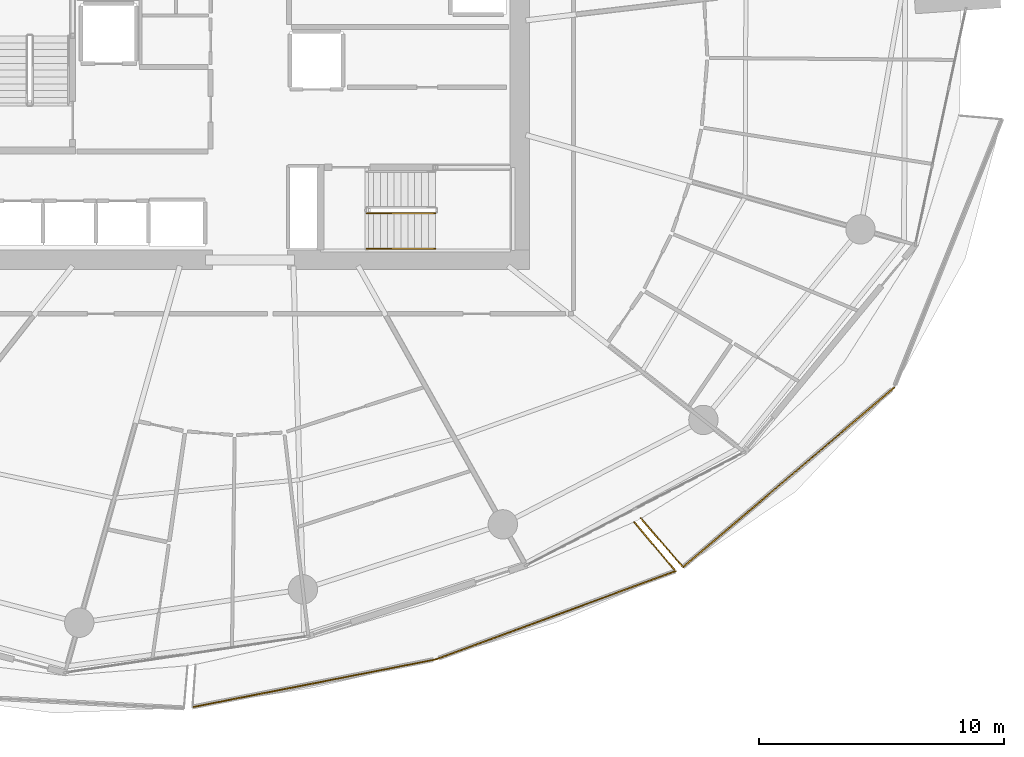
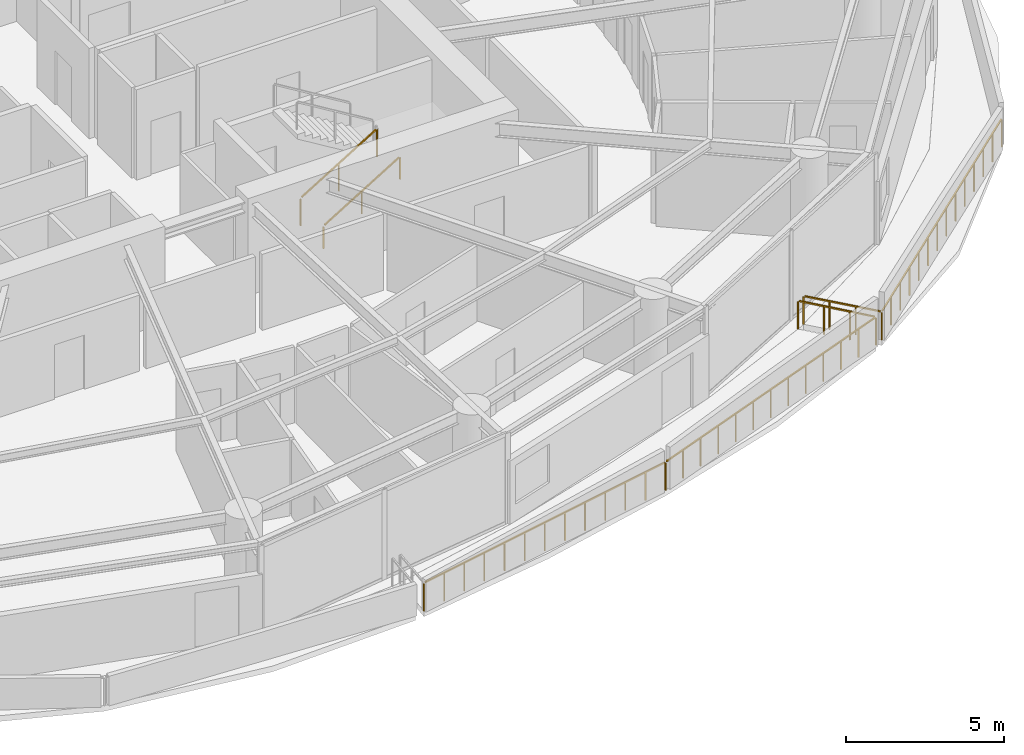
# One storey, part 19 of 23: 7 railings.
"""IFC4 building model written with IfcOpenShell, lengths in metres."""

from ifc_helpers import new_model, si_unit, direction, frame, origin, origin_2d, place, context, subcontext, project, spatial, rectangle, extrude, material, type_object, element, save


model = new_model("IFC4")

# Units and contexts
model_context = context("Model", 3, precision=1e-05, world=origin(), true_north=direction((0.0, 1.0)))
body_context = subcontext(model_context, "Body", "Model", "MODEL_VIEW")
ifc_project = project(units=[si_unit("LENGTHUNIT", "METRE"), si_unit("AREAUNIT", "SQUARE_METRE"), si_unit("VOLUMEUNIT", "CUBIC_METRE"), si_unit("PLANEANGLEUNIT", "RADIAN"), si_unit("MASSUNIT", "GRAM", prefix="KILO")], contexts=[model_context])

# Site, building, storey
site_placement = place(None, origin())
site = spatial("IfcSite", under=ifc_project, at=site_placement, CompositionType="ELEMENT")
building_placement = place(site_placement, origin())
building = spatial("IfcBuilding", under=site, at=building_placement, Name="Kazma Halo Residences", CompositionType="ELEMENT")
storey_placement = place(building_placement, frame((0.0, 0.0, 97.64990234375)))
storey = spatial("IfcBuildingStorey", under=building, at=storey_placement, Name="L24", CompositionType="ELEMENT", Elevation=97.64990234375)

# Railings
ifc_material_1 = material(Name="Aluminium AW-6063 T6 Brushed Cap Rail", Category="aluminium")
railing_type_1 = type_object("IfcRailingType", Name="RLG-BAL-CAP-1120", PredefinedType="BALUSTRADE", material=ifc_material_1)
railing_1_placement = place(storey_placement, frame((46.063720703125, 15.314453125, 0.0)))
element("IfcRailing", 1, at=railing_1_placement, inside=storey, type_object=railing_type_1, Name="L24 SSE wave balcony guard 2", PredefinedType="BALUSTRADE", context=body_context, shape_type="SweptSolid", body=[
    extrude(rectangle(XDim=0.050048828125, YDim=0.050048828125, at=origin_2d()), frame((0.041748046875, 0.00830078125, 1.09521484375), z_axis=(0.981283048261, 0.192570971838, 0.0), x_axis=(-0.192570971838, 0.981283048261, 0.0)), (0.0, 0.0, 1.0), 10.076416015625),
    extrude(rectangle(XDim=0.0400390625, YDim=0.0400390625, at=origin_2d()), origin(), (0.0, 0.0, 1.0), 1.05810546875),
    extrude(rectangle(XDim=0.0400390625, YDim=0.0400390625, at=origin_2d()), frame((0.8310546875, 0.1630859375, 0.0)), (0.0, 0.0, 1.0), 1.05810546875),
    extrude(rectangle(XDim=0.0400390625, YDim=0.0400390625, at=origin_2d()), frame((1.661865234375, 0.326171875, 0.0)), (0.0, 0.0, 1.0), 1.05810546875),
    extrude(rectangle(XDim=0.0400390625, YDim=0.0400390625, at=origin_2d()), frame((2.49267578125, 0.4892578125, 0.0)), (0.0, 0.0, 1.0), 1.05810546875),
    extrude(rectangle(XDim=0.0400390625, YDim=0.0400390625, at=origin_2d()), frame((3.32373046875, 0.65234375, 0.0)), (0.0, 0.0, 1.0), 1.05810546875),
    extrude(rectangle(XDim=0.0400390625, YDim=0.0400390625, at=origin_2d()), frame((4.15478515625, 0.8154296875, 0.0)), (0.0, 0.0, 1.0), 1.05810546875),
    extrude(rectangle(XDim=0.0400390625, YDim=0.0400390625, at=origin_2d()), frame((4.985595703125, 0.978515625, 0.0)), (0.0, 0.0, 1.0), 1.05810546875),
    extrude(rectangle(XDim=0.0400390625, YDim=0.0400390625, at=origin_2d()), frame((5.81640625, 1.141357421875, 0.0)), (0.0, 0.0, 1.0), 1.05810546875),
    extrude(rectangle(XDim=0.0400390625, YDim=0.0400390625, at=origin_2d()), frame((6.6474609375, 1.304443359375, 0.0)), (0.0, 0.0, 1.0), 1.05810546875),
    extrude(rectangle(XDim=0.0400390625, YDim=0.0400390625, at=origin_2d()), frame((7.478515625, 1.467529296875, 0.0)), (0.0, 0.0, 1.0), 1.05810546875),
    extrude(rectangle(XDim=0.0400390625, YDim=0.0400390625, at=origin_2d()), frame((8.309326171875, 1.630615234375, 0.0)), (0.0, 0.0, 1.0), 1.05810546875),
    extrude(rectangle(XDim=0.0400390625, YDim=0.0400390625, at=origin_2d()), frame((9.14013671875, 1.793701171875, 0.0)), (0.0, 0.0, 1.0), 1.05810546875),
    extrude(rectangle(XDim=0.0400390625, YDim=0.0400390625, at=origin_2d()), frame((9.97119140625, 1.956787109375, 0.0)), (0.0, 0.0, 1.0), 1.05810546875),
])
railing_2_placement = place(storey_placement, frame((56.034912109375, 17.271240234375, 0.0)))
element("IfcRailing", 2, at=railing_2_placement, inside=storey, type_object=railing_type_1, Name="L24 SSE wave balcony guard 3", PredefinedType="BALUSTRADE", context=body_context, shape_type="SweptSolid", body=[
    extrude(rectangle(XDim=0.050048828125, YDim=0.050048828125, at=origin_2d()), frame((0.0400390625, 0.0146484375, 1.09521484375), z_axis=(0.938355108391, 0.34567280853, 0.0), x_axis=(-0.34567280853, 0.938355108391, 0.0)), (0.0, 0.0, 1.0), 10.34228515625),
    extrude(rectangle(XDim=0.0400390625, YDim=0.0400390625, at=origin_2d()), origin(), (0.0, 0.0, 1.0), 1.05810546875),
    extrude(rectangle(XDim=0.0400390625, YDim=0.0400390625, at=origin_2d()), frame((0.8154296875, 0.30029296875, 0.0)), (0.0, 0.0, 1.0), 1.05810546875),
    extrude(rectangle(XDim=0.0400390625, YDim=0.0400390625, at=origin_2d()), frame((1.630859375, 0.600830078125, 0.0)), (0.0, 0.0, 1.0), 1.05810546875),
    extrude(rectangle(XDim=0.0400390625, YDim=0.0400390625, at=origin_2d()), frame((2.4462890625, 0.901123046875, 0.0)), (0.0, 0.0, 1.0), 1.05810546875),
    extrude(rectangle(XDim=0.0400390625, YDim=0.0400390625, at=origin_2d()), frame((3.261474609375, 1.201416015625, 0.0)), (0.0, 0.0, 1.0), 1.05810546875),
    extrude(rectangle(XDim=0.0400390625, YDim=0.0400390625, at=origin_2d()), frame((4.076904296875, 1.501953125, 0.0)), (0.0, 0.0, 1.0), 1.05810546875),
    extrude(rectangle(XDim=0.0400390625, YDim=0.0400390625, at=origin_2d()), frame((4.892333984375, 1.80224609375, 0.0)), (0.0, 0.0, 1.0), 1.05810546875),
    extrude(rectangle(XDim=0.0400390625, YDim=0.0400390625, at=origin_2d()), frame((5.707763671875, 2.1025390625, 0.0)), (0.0, 0.0, 1.0), 1.05810546875),
    extrude(rectangle(XDim=0.0400390625, YDim=0.0400390625, at=origin_2d()), frame((6.523193359375, 2.403076171875, 0.0)), (0.0, 0.0, 1.0), 1.05810546875),
    extrude(rectangle(XDim=0.0400390625, YDim=0.0400390625, at=origin_2d()), frame((7.33837890625, 2.703369140625, 0.0)), (0.0, 0.0, 1.0), 1.05810546875),
    extrude(rectangle(XDim=0.0400390625, YDim=0.0400390625, at=origin_2d()), frame((8.15380859375, 3.003662109375, 0.0)), (0.0, 0.0, 1.0), 1.05810546875),
    extrude(rectangle(XDim=0.0400390625, YDim=0.0400390625, at=origin_2d()), frame((8.96923828125, 3.30419921875, 0.0)), (0.0, 0.0, 1.0), 1.05810546875),
    extrude(rectangle(XDim=0.0400390625, YDim=0.0400390625, at=origin_2d()), frame((9.78466796875, 3.6044921875, 0.0)), (0.0, 0.0, 1.0), 1.05810546875),
])
railing_3_placement = place(storey_placement, frame((65.819580078125, 20.875732421875, 0.0)))
element("IfcRailing", 3, at=railing_3_placement, inside=storey, type_object=railing_type_1, Name="L24 SSE wave balcony guard 4", PredefinedType="BALUSTRADE", context=body_context, shape_type="SweptSolid", body=[
    extrude(rectangle(XDim=0.050048828125, YDim=0.050048828125, at=origin_2d()), frame((-0.02734375, 0.032470703125, 1.09521484375), z_axis=(-0.644719824493, 0.76441896098, 0.0), x_axis=(-0.76441896098, -0.644719824493, 0.0)), (0.0, 0.0, 1.0), 2.539794921875),
    extrude(rectangle(XDim=0.0400390625, YDim=0.0400390625, at=origin_2d()), origin(), (0.0, 0.0, 1.0), 1.05810546875),
    extrude(rectangle(XDim=0.0400390625, YDim=0.0400390625, at=origin_2d()), frame((-0.564208984375, 0.6689453125, 0.0)), (0.0, 0.0, 1.0), 1.05810546875),
    extrude(rectangle(XDim=0.0400390625, YDim=0.0400390625, at=origin_2d()), frame((-1.128173828125, 1.337646484375, 0.0)), (0.0, 0.0, 1.0), 1.05810546875),
    extrude(rectangle(XDim=0.0400390625, YDim=0.0400390625, at=origin_2d()), frame((-1.6923828125, 2.006591796875, 0.0)), (0.0, 0.0, 1.0), 1.05810546875),
])
railing_4_placement = place(storey_placement, frame((64.40576171875, 23.027099609375, 0.0)))
element("IfcRailing", 4, at=railing_4_placement, inside=storey, type_object=railing_type_1, Name="L24 SE wave balcony guard 1", PredefinedType="BALUSTRADE", context=body_context, shape_type="SweptSolid", body=[
    extrude(rectangle(XDim=0.050048828125, YDim=0.050048828125, at=origin_2d()), frame((0.02783203125, -0.0322265625, 1.09521484375), z_axis=(0.65409594454, -0.756411591223, 0.0), x_axis=(0.756411591223, 0.65409594454, 0.0)), (0.0, 0.0, 1.0), 2.54443359375),
    extrude(rectangle(XDim=0.0400390625, YDim=0.0400390625, at=origin_2d()), origin(), (0.0, 0.0, 1.0), 1.05810546875),
    extrude(rectangle(XDim=0.0400390625, YDim=0.0400390625, at=origin_2d()), frame((0.5732421875, -0.6630859375, 0.0)), (0.0, 0.0, 1.0), 1.05810546875),
    extrude(rectangle(XDim=0.0400390625, YDim=0.0400390625, at=origin_2d()), frame((1.146728515625, -1.325927734375, 0.0)), (0.0, 0.0, 1.0), 1.05810546875),
    extrude(rectangle(XDim=0.0400390625, YDim=0.0400390625, at=origin_2d()), frame((1.719970703125, -1.989013671875, 0.0)), (0.0, 0.0, 1.0), 1.05810546875),
])
railing_5_placement = place(storey_placement, frame((66.125732421875, 21.0380859375, 0.0)))
element("IfcRailing", 5, at=railing_5_placement, inside=storey, type_object=railing_type_1, Name="L24 SE wave balcony guard 2", PredefinedType="BALUSTRADE", context=body_context, shape_type="SweptSolid", body=[
    extrude(rectangle(XDim=0.050048828125, YDim=0.050048828125, at=origin_2d()), frame((0.032470703125, 0.027587890625, 1.09521484375), z_axis=(0.761849375579, 0.647754219539, 0.0), x_axis=(-0.647754219539, 0.761849375579, 0.0)), (0.0, 0.0, 1.0), 11.234375),
    extrude(rectangle(XDim=0.0400390625, YDim=0.0400390625, at=origin_2d()), origin(), (0.0, 0.0, 1.0), 1.05810546875),
    extrude(rectangle(XDim=0.0400390625, YDim=0.0400390625, at=origin_2d()), frame((0.663330078125, 0.56396484375, 0.0)), (0.0, 0.0, 1.0), 1.05810546875),
    extrude(rectangle(XDim=0.0400390625, YDim=0.0400390625, at=origin_2d()), frame((1.32666015625, 1.1279296875, 0.0)), (0.0, 0.0, 1.0), 1.05810546875),
    extrude(rectangle(XDim=0.0400390625, YDim=0.0400390625, at=origin_2d()), frame((1.989990234375, 1.692138671875, 0.0)), (0.0, 0.0, 1.0), 1.05810546875),
    extrude(rectangle(XDim=0.0400390625, YDim=0.0400390625, at=origin_2d()), frame((2.653564453125, 2.256103515625, 0.0)), (0.0, 0.0, 1.0), 1.05810546875),
    extrude(rectangle(XDim=0.0400390625, YDim=0.0400390625, at=origin_2d()), frame((3.31689453125, 2.820068359375, 0.0)), (0.0, 0.0, 1.0), 1.05810546875),
    extrude(rectangle(XDim=0.0400390625, YDim=0.0400390625, at=origin_2d()), frame((3.980224609375, 3.384033203125, 0.0)), (0.0, 0.0, 1.0), 1.05810546875),
    extrude(rectangle(XDim=0.0400390625, YDim=0.0400390625, at=origin_2d()), frame((4.6435546875, 3.9482421875, 0.0)), (0.0, 0.0, 1.0), 1.05810546875),
    extrude(rectangle(XDim=0.0400390625, YDim=0.0400390625, at=origin_2d()), frame((5.306884765625, 4.51220703125, 0.0)), (0.0, 0.0, 1.0), 1.05810546875),
    extrude(rectangle(XDim=0.0400390625, YDim=0.0400390625, at=origin_2d()), frame((5.97021484375, 5.076171875, 0.0)), (0.0, 0.0, 1.0), 1.05810546875),
    extrude(rectangle(XDim=0.0400390625, YDim=0.0400390625, at=origin_2d()), frame((6.6337890625, 5.64013671875, 0.0)), (0.0, 0.0, 1.0), 1.05810546875),
    extrude(rectangle(XDim=0.0400390625, YDim=0.0400390625, at=origin_2d()), frame((7.297119140625, 6.204345703125, 0.0)), (0.0, 0.0, 1.0), 1.05810546875),
    extrude(rectangle(XDim=0.0400390625, YDim=0.0400390625, at=origin_2d()), frame((7.96044921875, 6.768310546875, 0.0)), (0.0, 0.0, 1.0), 1.05810546875),
    extrude(rectangle(XDim=0.0400390625, YDim=0.0400390625, at=origin_2d()), frame((8.623779296875, 7.332275390625, 0.0)), (0.0, 0.0, 1.0), 1.05810546875),
])
ifc_material_2 = material(Name="Painted Steel S355", Category="steel")
railing_type_2 = type_object("IfcRailingType", Name="RLG-STAIR-GRD-1100", PredefinedType="GUARDRAIL", material=ifc_material_2)
railing_6_placement = place(storey_placement, frame((53.199951171875, 35.5, 0.170654296875)))
element("IfcRailing", 6, at=railing_6_placement, inside=storey, type_object=railing_type_2, Name="L24 ST-03 stair guard 1", PredefinedType="GUARDRAIL", context=body_context, shape_type="SweptSolid", body=[
    extrude(rectangle(XDim=0.050048828125, YDim=0.050048828125, at=origin_2d()), frame((0.036376953125, 0.0, 1.09716796875), z_axis=(0.854202870247, 0.0, 0.519939858505), x_axis=(0.0, 1.0, 0.0)), (0.0, 0.0, 1.0), 3.19287109375),
    extrude(rectangle(XDim=0.0400390625, YDim=0.0400390625, at=origin_2d()), origin(), (0.0, 0.0, 1.0), 1.0380859375),
    extrude(rectangle(XDim=0.0400390625, YDim=0.0400390625, at=origin_2d()), frame((1.39990234375, 0.0, 0.85205078125)), (0.0, 0.0, 1.0), 1.0380859375),
    extrude(rectangle(XDim=0.0400390625, YDim=0.0400390625, at=origin_2d()), frame((2.800048828125, 0.0, 1.704345703125)), (0.0, 0.0, 1.0), 1.0380859375),
])
ifc_material_3 = material(Name="Brushed Stainless Steel", Category="steel")
railing_type_3 = type_object("IfcRailingType", Name="RLG-STAIR-HND-900", PredefinedType="HANDRAIL", material=ifc_material_3)
railing_7_placement = place(storey_placement, frame((53.199951171875, 34.050048828125, 0.170654296875)))
element("IfcRailing", 7, at=railing_7_placement, inside=storey, type_object=railing_type_3, Name="L24 ST-03 stair handrail 1", PredefinedType="HANDRAIL", context=body_context, shape_type="SweptSolid", body=[
    extrude(rectangle(XDim=0.050048828125, YDim=0.050048828125, at=origin_2d()), frame((0.036376953125, 0.0, 0.89697265625), z_axis=(0.854202870247, 0.0, 0.519939858505), x_axis=(0.0, 1.0, 0.0)), (0.0, 0.0, 1.0), 3.19287109375),
    extrude(rectangle(XDim=0.0400390625, YDim=0.0400390625, at=origin_2d()), origin(), (0.0, 0.0, 1.0), 0.837890625),
    extrude(rectangle(XDim=0.0400390625, YDim=0.0400390625, at=origin_2d()), frame((1.39990234375, 0.0, 0.85205078125)), (0.0, 0.0, 1.0), 0.837890625),
    extrude(rectangle(XDim=0.0400390625, YDim=0.0400390625, at=origin_2d()), frame((2.800048828125, 0.0, 1.704345703125)), (0.0, 0.0, 1.0), 0.837890625),
])

save(model, "model.ifc")
